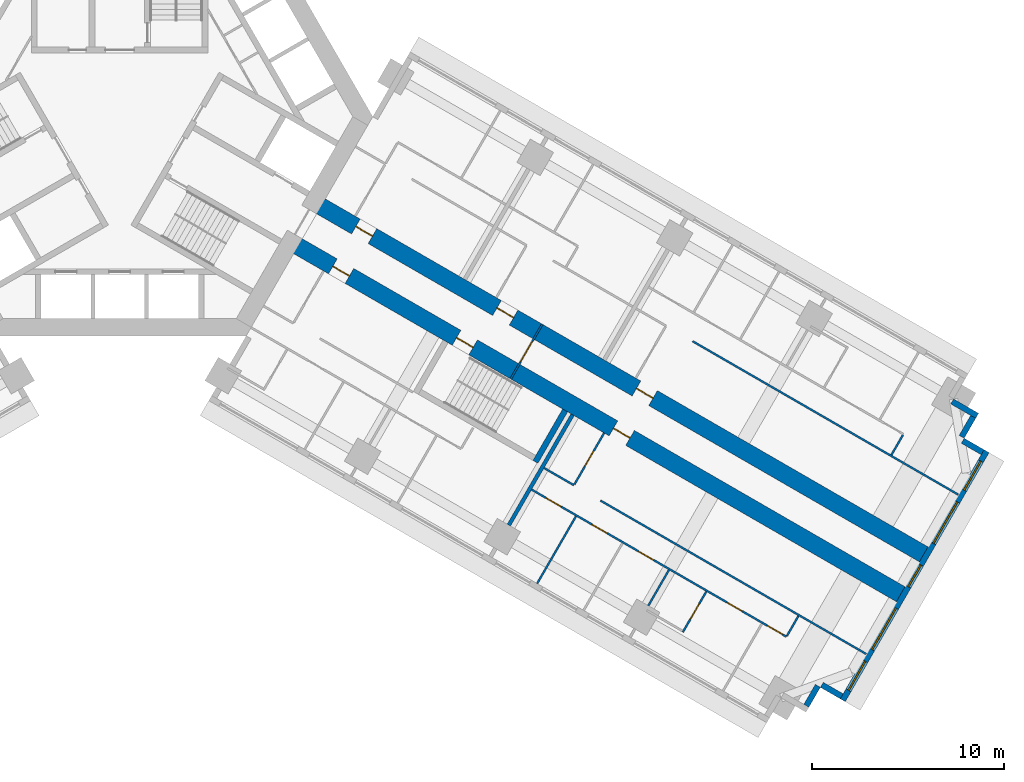
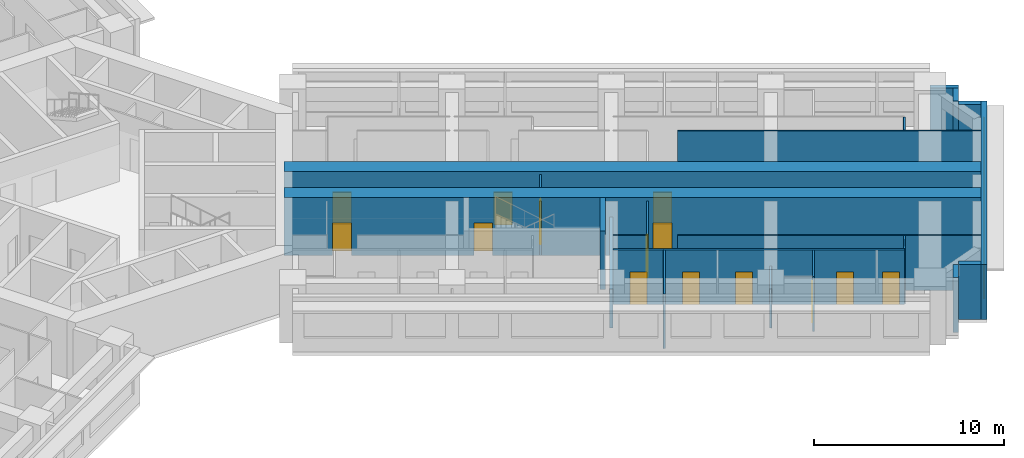
# One storey, part 11 of 15: 21 walls, 14 doors, 5 windows, 19 openings.
"""IFC4 building model written with IfcOpenShell, lengths in metres."""

from ifc_helpers import new_model, si_unit, direction, frame, frame_2d, origin, place, context, subcontext, project, spatial, rectangle, extrude, material, layer, layer_set, type_object, element, fill, save


model = new_model("IFC4")

# Units and contexts
model_context = context("Model", 3, precision=1e-05, world=origin(), true_north=direction((0.0, 1.0)))
body_context = subcontext(model_context, "Body", "Model", "MODEL_VIEW")
ifc_project = project(units=[si_unit("LENGTHUNIT", "METRE"), si_unit("AREAUNIT", "SQUARE_METRE"), si_unit("VOLUMEUNIT", "CUBIC_METRE"), si_unit("PLANEANGLEUNIT", "RADIAN"), si_unit("MASSUNIT", "GRAM", prefix="KILO")], contexts=[model_context])

# Site, building, storey
site_placement = place(None, origin())
site = spatial("IfcSite", under=ifc_project, at=site_placement, CompositionType="ELEMENT")
building_placement = place(site_placement, origin())
building = spatial("IfcBuilding", under=site, at=building_placement, Name="Impinga Residences", CompositionType="ELEMENT")
storey_placement = place(building_placement, frame((0.0, 0.0, 82.25)))
storey = spatial("IfcBuildingStorey", under=building, at=storey_placement, Name="L20", CompositionType="ELEMENT", Elevation=82.25)

# Wall, openings, doors
ifc_material_1 = material(Name="Concrete C70/85", Category="concrete")
ifc_layer_1 = layer(ifc_material_1, 0.89990234375)
ifc_layer_set_1 = layer_set([ifc_layer_1], Name="Concrete C70/85")
wall_type_1 = type_object("IfcWallType", Name="BW1 corridor buttress wall, L05 to L22 900", PredefinedType="SHEAR", material=ifc_layer_set_1)
wall_1_placement = place(storey_placement, frame((10.1103515625, -4.451416015625, 0.0), z_axis=(0.0, 0.0, 1.0), x_axis=(0.866025284237, -0.500000207062, 0.0)))
wall_1 = element("IfcWall", 1, at=wall_1_placement, inside=storey, type_object=wall_type_1, Name="Corridor wall BW1 EC L20", PredefinedType="SHEAR", context=body_context, shape_type="SweptSolid", body=[
    extrude(rectangle(XDim=36.75, YDim=0.89990234375, at=frame_2d((18.375, 0.0))), origin(), (0.0, 0.0, 1.0), 3.75),
])
opening_1_placement = place(wall_1_placement, frame((2.550048828125, 0.0, 0.0)))
opening_1 = element("IfcOpeningElement", 2, at=opening_1_placement, cuts=wall_1, Name="Opening D1", PredefinedType="OPENING", context=body_context, shape_type="SweptSolid", body=[
    extrude(rectangle(XDim=1.0, YDim=2.10009765625, at=frame_2d((0.5, 1.050048828125))), frame((0.0, 0.4599609375, 0.0), z_axis=(0.0, -1.0, 0.0), x_axis=(1.0, 0.0, 0.0)), (0.0, 0.0, 1.0), 0.919921875),
])
opening_2_placement = place(wall_1_placement, frame((11.050048828125, 0.0, 0.0)))
opening_2 = element("IfcOpeningElement", 3, at=opening_2_placement, cuts=wall_1, Name="Opening D1", PredefinedType="OPENING", context=body_context, shape_type="SweptSolid", body=[
    extrude(rectangle(XDim=1.0, YDim=2.10009765625, at=frame_2d((0.5, 1.050048828125))), frame((0.0, 0.4599609375, 0.0), z_axis=(0.0, -1.0, 0.0), x_axis=(1.0, 0.0, 0.0)), (0.0, 0.0, 1.0), 0.919921875),
])
opening_3_placement = place(wall_1_placement, frame((19.449951171875, 0.0, 0.0)))
opening_3 = element("IfcOpeningElement", 4, at=opening_3_placement, cuts=wall_1, Name="Opening D1", PredefinedType="OPENING", context=body_context, shape_type="SweptSolid", body=[
    extrude(rectangle(XDim=1.0, YDim=2.10009765625, at=frame_2d((0.5, 1.050048828125))), frame((0.0, 0.4599609375, 0.0), z_axis=(0.0, -1.0, 0.0), x_axis=(1.0, 0.0, 0.0)), (0.0, 0.0, 1.0), 0.919921875),
])
ifc_material_2 = material(Name="Timber door set", Category="wood")
door_type_1 = type_object("IfcDoorType", Name="D1 apartment entrance door 1000x2100", OperationType="SINGLE_SWING_LEFT", PredefinedType="DOOR", material=ifc_material_2)
door_1_placement = place(opening_1_placement, origin())
door_1 = element("IfcDoor", 5, at=door_1_placement, inside=storey, type_object=door_type_1, Name="Apartment L20-EA1 entrance", OperationType="SINGLE_SWING_LEFT", OverallHeight=2.10009765625, OverallWidth=1.0, PredefinedType="DOOR", context=body_context, shape_type="SweptSolid", body=[
    extrude(rectangle(XDim=1.0, YDim=2.10009765625, at=frame_2d((0.5, 1.050048828125))), frame((0.0, 0.02490234375, 0.0), z_axis=(0.0, -1.0, 0.0), x_axis=(1.0, 0.0, 0.0)), (0.0, 0.0, 1.0), 0.050048828125),
])
fill(opening_1, door_1)
door_2_placement = place(opening_2_placement, origin())
door_2 = element("IfcDoor", 6, at=door_2_placement, inside=storey, type_object=door_type_1, Name="Apartment L20-EA2 entrance", OperationType="SINGLE_SWING_LEFT", OverallHeight=2.10009765625, OverallWidth=1.0, PredefinedType="DOOR", context=body_context, shape_type="SweptSolid", body=[
    extrude(rectangle(XDim=1.0, YDim=2.10009765625, at=frame_2d((0.5, 1.050048828125))), frame((0.0, 0.02490234375, 0.0), z_axis=(0.0, -1.0, 0.0), x_axis=(1.0, 0.0, 0.0)), (0.0, 0.0, 1.0), 0.050048828125),
])
fill(opening_2, door_2)
door_3_placement = place(opening_3_placement, origin())
door_3 = element("IfcDoor", 7, at=door_3_placement, inside=storey, type_object=door_type_1, Name="Apartment L20-EA3 entrance", OperationType="SINGLE_SWING_RIGHT", OverallHeight=2.10009765625, OverallWidth=1.0, PredefinedType="DOOR", context=body_context, shape_type="SweptSolid", body=[
    extrude(rectangle(XDim=1.0, YDim=2.10009765625, at=frame_2d((0.5, 1.050048828125))), frame((0.0, 0.02490234375, 0.0), z_axis=(0.0, -1.0, 0.0), x_axis=(1.0, 0.0, 0.0)), (0.0, 0.0, 1.0), 0.050048828125),
])
fill(opening_3, door_3)

wall_2_placement = place(storey_placement, frame((8.910400390625, -6.530029296875, 0.0), z_axis=(0.0, 0.0, 1.0), x_axis=(0.866025284237, -0.500000207062, 0.0)))
wall_2 = element("IfcWall", 8, at=wall_2_placement, inside=storey, type_object=wall_type_1, Name="Corridor wall BW1 ED L20", PredefinedType="SHEAR", context=body_context, shape_type="SweptSolid", body=[
    extrude(rectangle(XDim=36.75, YDim=0.89990234375, at=frame_2d((18.375, 0.0))), origin(), (0.0, 0.0, 1.0), 3.75),
])
opening_4_placement = place(wall_2_placement, frame((10.0, 0.0, 0.0)))
opening_4 = element("IfcOpeningElement", 9, at=opening_4_placement, cuts=wall_2, Name="Opening D5", PredefinedType="OPENING", context=body_context, shape_type="SweptSolid", body=[
    extrude(rectangle(XDim=1.0, YDim=2.10009765625, at=frame_2d((0.5, 1.050048828125))), frame((0.0, 0.4599609375, 0.0), z_axis=(0.0, -1.0, 0.0), x_axis=(1.0, 0.0, 0.0)), (0.0, 0.0, 1.0), 0.919921875),
])
opening_5_placement = place(wall_2_placement, frame((2.550048828125, 0.0, 0.0)))
opening_5 = element("IfcOpeningElement", 10, at=opening_5_placement, cuts=wall_2, Name="Opening D1", PredefinedType="OPENING", context=body_context, shape_type="SweptSolid", body=[
    extrude(rectangle(XDim=1.0, YDim=2.10009765625, at=frame_2d((0.5, 1.050048828125))), frame((0.0, 0.4599609375, 0.0), z_axis=(0.0, -1.0, 0.0), x_axis=(1.0, 0.0, 0.0)), (0.0, 0.0, 1.0), 0.919921875),
])
opening_6_placement = place(wall_2_placement, frame((19.449951171875, 0.0, 0.0)))
opening_6 = element("IfcOpeningElement", 11, at=opening_6_placement, cuts=wall_2, Name="Opening D1", PredefinedType="OPENING", context=body_context, shape_type="SweptSolid", body=[
    extrude(rectangle(XDim=1.0, YDim=2.10009765625, at=frame_2d((0.5, 1.050048828125))), frame((0.0, 0.4599609375, 0.0), z_axis=(0.0, -1.0, 0.0), x_axis=(1.0, 0.0, 0.0)), (0.0, 0.0, 1.0), 0.919921875),
])
door_4_placement = place(opening_5_placement, origin())
door_4 = element("IfcDoor", 12, at=door_4_placement, inside=storey, type_object=door_type_1, Name="Apartment L20-EF1 entrance", OperationType="SINGLE_SWING_LEFT", OverallHeight=2.10009765625, OverallWidth=1.0, PredefinedType="DOOR", context=body_context, shape_type="SweptSolid", body=[
    extrude(rectangle(XDim=1.0, YDim=2.10009765625, at=frame_2d((0.5, 1.050048828125))), frame((0.0, 0.02490234375, 0.0), z_axis=(0.0, -1.0, 0.0), x_axis=(1.0, 0.0, 0.0)), (0.0, 0.0, 1.0), 0.050048828125),
])
fill(opening_5, door_4)
door_5_placement = place(opening_6_placement, origin())
door_5 = element("IfcDoor", 13, at=door_5_placement, inside=storey, type_object=door_type_1, Name="Apartment L20-EF2 entrance", OperationType="SINGLE_SWING_RIGHT", OverallHeight=2.10009765625, OverallWidth=1.0, PredefinedType="DOOR", context=body_context, shape_type="SweptSolid", body=[
    extrude(rectangle(XDim=1.0, YDim=2.10009765625, at=frame_2d((0.5, 1.050048828125))), frame((0.0, 0.02490234375, 0.0), z_axis=(0.0, -1.0, 0.0), x_axis=(1.0, 0.0, 0.0)), (0.0, 0.0, 1.0), 0.050048828125),
])
fill(opening_6, door_5)
door_type_2 = type_object("IfcDoorType", Name="D5 stair door 1000x2100", OperationType="SINGLE_SWING_LEFT", PredefinedType="DOOR", material=ifc_material_2)
door_6_placement = place(opening_4_placement, origin())
door_6 = element("IfcDoor", 14, at=door_6_placement, inside=storey, type_object=door_type_2, Name="Wing stair door E", OperationType="SINGLE_SWING_LEFT", OverallHeight=2.10009765625, OverallWidth=1.0, PredefinedType="DOOR", context=body_context, shape_type="SweptSolid", body=[
    extrude(rectangle(XDim=1.0, YDim=2.10009765625, at=frame_2d((0.5, 1.050048828125))), frame((0.0, 0.02490234375, 0.0), z_axis=(0.0, -1.0, 0.0), x_axis=(1.0, 0.0, 0.0)), (0.0, 0.0, 1.0), 0.050048828125),
])
fill(opening_4, door_6)

# Wall, opening, door
ifc_material_3 = material(Name="Concrete blockwork", Category="masonry")
ifc_layer_2 = layer(ifc_material_3, 0.10009765625)
ifc_layer_set_2 = layer_set([ifc_layer_2], Name="CP1 core room partition, blockwork 100")
wall_type_2 = type_object("IfcWallType", Name="CP1 core room partition, blockwork 100", PredefinedType="PARTITIONING", material=ifc_layer_set_2)
wall_3_placement = place(storey_placement, frame((22.042724609375, -10.821044921875, 0.0), z_axis=(0.0, 0.0, 1.0), x_axis=(-0.50002983664, -0.866008176907, 0.0)))
wall_3 = element("IfcWall", 15, at=wall_3_placement, inside=storey, type_object=wall_type_2, Name="Core room partition, blockwork L20:E:SCR", PredefinedType="PARTITIONING", context=body_context, shape_type="SweptSolid", body=[
    extrude(rectangle(XDim=3.300048828125, YDim=0.10009765625, at=frame_2d((1.64990234375, 0.0))), origin(), (0.0, 0.0, 1.0), 3.530029296875),
])
opening_7_placement = place(wall_3_placement, frame((1.050048828125, 0.0, 0.0)))
opening_7 = element("IfcOpeningElement", 16, at=opening_7_placement, cuts=wall_3, Name="Opening D3", PredefinedType="OPENING", context=body_context, shape_type="SweptSolid", body=[
    extrude(rectangle(XDim=1.199951171875, YDim=2.10009765625, at=frame_2d((0.60009765625, 1.050048828125))), frame((0.0, 0.06005859375, 0.0), z_axis=(0.0, -1.0, 0.0), x_axis=(1.0, 0.0, 0.0)), (0.0, 0.0, 1.0), 0.1201171875),
])
door_type_3 = type_object("IfcDoorType", Name="D3 room door, leaf and a half 1200x2100", OperationType="DOUBLE_SWING_LEFT", PredefinedType="DOOR", material=ifc_material_2)
door_7_placement = place(opening_7_placement, origin())
door_7 = element("IfcDoor", 17, at=door_7_placement, inside=storey, type_object=door_type_3, Name="Corridor smoke door E", OperationType="DOUBLE_SWING_LEFT", OverallHeight=2.10009765625, OverallWidth=1.199951171875, PredefinedType="DOOR", context=body_context, shape_type="SweptSolid", body=[
    extrude(rectangle(XDim=1.199951171875, YDim=2.10009765625, at=frame_2d((0.60009765625, 1.050048828125))), frame((0.0, 0.02490234375, 0.0), z_axis=(0.0, -1.0, 0.0), x_axis=(1.0, 0.0, 0.0)), (0.0, 0.0, 1.0), 0.050048828125),
])
fill(opening_7, door_7)

# Walls
ifc_material_4 = material(Name="Terracotta rainscreen on blockwork", Category="masonry")
ifc_layer_3 = layer(ifc_material_4, 0.300048828125)
ifc_layer_set_3 = layer_set([ifc_layer_3], Name="EW1 external wall, terracotta rainscreen on blockwork 300")
wall_type_3 = type_object("IfcWallType", Name="EW1 external wall, terracotta rainscreen on blockwork 300", PredefinedType="SOLIDWALL", material=ifc_layer_set_3)
wall_4_placement = place(storey_placement, frame((43.42333984375, -14.8515625, 0.0), z_axis=(0.0, 0.0, 1.0), x_axis=(0.866031096941, -0.499990139034, 0.0)))
element("IfcWall", 18, at=wall_4_placement, inside=storey, type_object=wall_type_3, Name="External wall EW1 L20", PredefinedType="SOLIDWALL", context=body_context, shape_type="SweptSolid", body=[
    extrude(rectangle(XDim=1.5, YDim=0.300048828125, at=frame_2d((0.75, 0.0))), origin(), (0.0, 0.0, 1.0), 3.530029296875),
])
wall_5_placement = place(storey_placement, frame((44.517578125, -15.65625, 0.0), z_axis=(0.0, 0.0, 1.0), x_axis=(-0.500033551112, -0.866006032174, 0.0)))
element("IfcWall", 19, at=wall_5_placement, inside=storey, type_object=wall_type_3, Name="External wall EW1 L20", PredefinedType="SOLIDWALL", context=body_context, shape_type="SweptSolid", body=[
    extrude(rectangle(XDim=1.2001953125, YDim=0.300048828125, at=frame_2d((0.60009765625, 0.0))), origin(), (0.0, 0.0, 1.0), 3.530029296875),
])
wall_6_placement = place(storey_placement, frame((43.976806640625, -16.903076171875, 0.0), z_axis=(0.0, 0.0, 1.0), x_axis=(0.866059708757, -0.499940577336, 0.0)))
element("IfcWall", 20, at=wall_6_placement, inside=storey, type_object=wall_type_3, Name="External wall EW1 L20", PredefinedType="SOLIDWALL", context=body_context, shape_type="SweptSolid", body=[
    extrude(rectangle(XDim=1.195068359375, YDim=0.300048828125, at=frame_2d((0.59765625, 0.0))), origin(), (0.0, 0.0, 1.0), 3.530029296875),
])

# Wall, openings, windows
wall_7_placement = place(storey_placement, frame((45.216552734375, -17.445556640625, 0.0), z_axis=(0.0, 0.0, 1.0), x_axis=(-0.499997186618, -0.866027028085, 0.0)))
wall_7 = element("IfcWall", 21, at=wall_7_placement, inside=storey, type_object=wall_type_3, Name="External wall EW1 L20", PredefinedType="SOLIDWALL", context=body_context, shape_type="SweptSolid", body=[
    extrude(rectangle(XDim=15.0, YDim=0.300048828125, at=frame_2d((7.5, 0.0))), origin(), (0.0, 0.0, 1.0), 3.530029296875),
])
opening_8_placement = place(wall_7_placement, frame((0.60009765625, 0.0, 0.89990234375)))
opening_8 = element("IfcOpeningElement", 22, at=opening_8_placement, cuts=wall_7, Name="Opening W1", PredefinedType="OPENING", context=body_context, shape_type="SweptSolid", body=[
    extrude(rectangle(XDim=1.75, YDim=2.050048828125, at=frame_2d((0.875, 1.02490234375))), frame((0.0, 0.159912109375, 0.0), z_axis=(0.0, -1.0, 0.0), x_axis=(1.0, 0.0, 0.0)), (0.0, 0.0, 1.0), 0.320068359375),
])
opening_9_placement = place(wall_7_placement, frame((3.050048828125, 0.0, 0.89990234375)))
opening_9 = element("IfcOpeningElement", 23, at=opening_9_placement, cuts=wall_7, Name="Opening W2", PredefinedType="OPENING", context=body_context, shape_type="SweptSolid", body=[
    extrude(rectangle(XDim=2.5, YDim=2.050048828125, at=frame_2d((1.25, 1.02490234375))), frame((0.0, 0.159912109375, 0.0), z_axis=(0.0, -1.0, 0.0), x_axis=(1.0, 0.0, 0.0)), (0.0, 0.0, 1.0), 0.320068359375),
])
opening_10_placement = place(wall_7_placement, frame((6.85009765625, 0.0, 0.89990234375)))
opening_10 = element("IfcOpeningElement", 24, at=opening_10_placement, cuts=wall_7, Name="Opening WE1", PredefinedType="OPENING", context=body_context, shape_type="SweptSolid", body=[
    extrude(rectangle(XDim=1.300048828125, YDim=2.050048828125, at=frame_2d((0.64990234375, 1.02490234375))), frame((0.0, 0.159912109375, 0.0), z_axis=(0.0, -1.0, 0.0), x_axis=(1.0, 0.0, 0.0)), (0.0, 0.0, 1.0), 0.320068359375),
])
opening_11_placement = place(wall_7_placement, frame((9.449951171875, 0.0, 0.89990234375)))
opening_11 = element("IfcOpeningElement", 25, at=opening_11_placement, cuts=wall_7, Name="Opening W2", PredefinedType="OPENING", context=body_context, shape_type="SweptSolid", body=[
    extrude(rectangle(XDim=2.5, YDim=2.050048828125, at=frame_2d((1.25, 1.02490234375))), frame((0.0, 0.159912109375, 0.0), z_axis=(0.0, -1.0, 0.0), x_axis=(1.0, 0.0, 0.0)), (0.0, 0.0, 1.0), 0.320068359375),
])
opening_12_placement = place(wall_7_placement, frame((12.64990234375, 0.0, 0.89990234375)))
opening_12 = element("IfcOpeningElement", 26, at=opening_12_placement, cuts=wall_7, Name="Opening W1", PredefinedType="OPENING", context=body_context, shape_type="SweptSolid", body=[
    extrude(rectangle(XDim=1.75, YDim=2.050048828125, at=frame_2d((0.875, 1.02490234375))), frame((0.0, 0.159912109375, 0.0), z_axis=(0.0, -1.0, 0.0), x_axis=(1.0, 0.0, 0.0)), (0.0, 0.0, 1.0), 0.320068359375),
])
ifc_material_5 = material(Name="Aluminium window, clear double glazing", Category="aluminium")
window_type_1 = type_object("IfcWindowType", Name="W1 ribbon window 1750x2050", PartitioningType="SINGLE_PANEL", PredefinedType="WINDOW", material=ifc_material_5)
window_1_placement = place(opening_8_placement, origin())
window_1 = element("IfcWindow", 27, at=window_1_placement, inside=storey, type_object=window_type_1, Name="Window L20", OverallHeight=2.050048828125, OverallWidth=1.75, PartitioningType="SINGLE_PANEL", PredefinedType="WINDOW", context=body_context, shape_type="SweptSolid", body=[
    extrude(rectangle(XDim=1.75, YDim=2.050048828125, at=frame_2d((0.875, 1.02490234375))), frame((0.0, 0.030029296875, 0.0), z_axis=(0.0, -1.0, 0.0), x_axis=(1.0, 0.0, 0.0)), (0.0, 0.0, 1.0), 0.06005859375),
])
fill(opening_8, window_1)
window_2_placement = place(opening_12_placement, origin())
window_2 = element("IfcWindow", 28, at=window_2_placement, inside=storey, type_object=window_type_1, Name="Window L20", OverallHeight=2.050048828125, OverallWidth=1.75, PartitioningType="SINGLE_PANEL", PredefinedType="WINDOW", context=body_context, shape_type="SweptSolid", body=[
    extrude(rectangle(XDim=1.75, YDim=2.050048828125, at=frame_2d((0.875, 1.02490234375))), frame((0.0, 0.030029296875, 0.0), z_axis=(0.0, -1.0, 0.0), x_axis=(1.0, 0.0, 0.0)), (0.0, 0.0, 1.0), 0.06005859375),
])
fill(opening_12, window_2)
window_type_2 = type_object("IfcWindowType", Name="W2 ribbon window 2500x2050", PartitioningType="SINGLE_PANEL", PredefinedType="WINDOW", material=ifc_material_5)
window_3_placement = place(opening_9_placement, origin())
window_3 = element("IfcWindow", 29, at=window_3_placement, inside=storey, type_object=window_type_2, Name="Window L20", OverallHeight=2.050048828125, OverallWidth=2.5, PartitioningType="SINGLE_PANEL", PredefinedType="WINDOW", context=body_context, shape_type="SweptSolid", body=[
    extrude(rectangle(XDim=2.5, YDim=2.050048828125, at=frame_2d((1.25, 1.02490234375))), frame((0.0, 0.030029296875, 0.0), z_axis=(0.0, -1.0, 0.0), x_axis=(1.0, 0.0, 0.0)), (0.0, 0.0, 1.0), 0.06005859375),
])
fill(opening_9, window_3)
window_4_placement = place(opening_11_placement, origin())
window_4 = element("IfcWindow", 30, at=window_4_placement, inside=storey, type_object=window_type_2, Name="Window L20", OverallHeight=2.050048828125, OverallWidth=2.5, PartitioningType="SINGLE_PANEL", PredefinedType="WINDOW", context=body_context, shape_type="SweptSolid", body=[
    extrude(rectangle(XDim=2.5, YDim=2.050048828125, at=frame_2d((1.25, 1.02490234375))), frame((0.0, 0.030029296875, 0.0), z_axis=(0.0, -1.0, 0.0), x_axis=(1.0, 0.0, 0.0)), (0.0, 0.0, 1.0), 0.06005859375),
])
fill(opening_11, window_4)
window_type_3 = type_object("IfcWindowType", Name="WE1 corridor window 1300x2050", PartitioningType="SINGLE_PANEL", PredefinedType="WINDOW", material=ifc_material_5)
window_5_placement = place(opening_10_placement, origin())
window_5 = element("IfcWindow", 31, at=window_5_placement, inside=storey, type_object=window_type_3, Name="Window L20", OverallHeight=2.050048828125, OverallWidth=1.300048828125, PartitioningType="SINGLE_PANEL", PredefinedType="WINDOW", context=body_context, shape_type="SweptSolid", body=[
    extrude(rectangle(XDim=1.300048828125, YDim=2.050048828125, at=frame_2d((0.64990234375, 1.02490234375))), frame((0.0, 0.030029296875, 0.0), z_axis=(0.0, -1.0, 0.0), x_axis=(1.0, 0.0, 0.0)), (0.0, 0.0, 1.0), 0.06005859375),
])
fill(opening_10, window_5)

# Walls
wall_8_placement = place(storey_placement, frame((37.66162109375, -30.23095703125, 0.0), z_axis=(0.0, 0.0, 1.0), x_axis=(-0.866059708757, 0.499940577336, 0.0)))
element("IfcWall", 32, at=wall_8_placement, inside=storey, type_object=wall_type_3, Name="External wall EW1 L20", PredefinedType="SOLIDWALL", context=body_context, shape_type="SweptSolid", body=[
    extrude(rectangle(XDim=1.195068359375, YDim=0.300048828125, at=frame_2d((0.59765625, 0.0))), origin(), (0.0, 0.0, 1.0), 3.530029296875),
])
wall_9_placement = place(storey_placement, frame((36.41748046875, -29.68603515625, 0.0), z_axis=(0.0, 0.0, 1.0), x_axis=(-0.499969057507, -0.866043267704, 0.0)))
element("IfcWall", 33, at=wall_9_placement, inside=storey, type_object=wall_type_3, Name="External wall EW1 L20", PredefinedType="SOLIDWALL", context=body_context, shape_type="SweptSolid", body=[
    extrude(rectangle(XDim=1.19970703125, YDim=0.300048828125, at=frame_2d((0.599853515625, 0.0))), origin(), (0.0, 0.0, 1.0), 3.530029296875),
])
ifc_material_6 = material(Name="Gypsum board on steel studs", Category="steel")
ifc_layer_4 = layer(ifc_material_6, 0.10009765625)
ifc_layer_set_4 = layer_set([ifc_layer_4], Name="Gypsum board on steel studs")
wall_type_4 = type_object("IfcWallType", Name="IP1 partition 100", PredefinedType="PARTITIONING", material=ifc_layer_set_4)
wall_10_placement = place(storey_placement, frame((29.88037109375, -11.708740234375, 0.0), z_axis=(0.0, 0.0, 1.0), x_axis=(0.866026010844, -0.49999894854, 0.0)))
element("IfcWall", 34, at=wall_10_placement, inside=storey, type_object=wall_type_4, Name="Partition L20-EA3:DIV1", PredefinedType="PARTITIONING", context=body_context, shape_type="SweptSolid", body=[
    extrude(rectangle(XDim=16.0, YDim=0.10009765625, at=frame_2d((8.0, 0.0))), origin(), (0.0, 0.0, 1.0), 3.530029296875),
])
wall_11_placement = place(storey_placement, frame((40.25439453125, -17.640625, 0.0), z_axis=(0.0, 0.0, 1.0), x_axis=(0.499880961361, 0.866094119867, 0.0)))
element("IfcWall", 35, at=wall_11_placement, inside=storey, type_object=wall_type_4, Name="Partition L20-EA3:SE1", PredefinedType="PARTITIONING", context=body_context, shape_type="SweptSolid", body=[
    extrude(rectangle(XDim=1.199951171875, YDim=0.10009765625, at=frame_2d((0.60009765625, 0.0))), origin(), (0.0, 0.0, 1.0), 3.530029296875),
])
wall_12_placement = place(storey_placement, frame((22.1357421875, -18.32275390625, 0.0), z_axis=(0.0, 0.0, 1.0), x_axis=(0.866047807691, -0.499961193289, 0.0)))
element("IfcWall", 36, at=wall_12_placement, inside=storey, type_object=wall_type_4, Name="Partition L20-EF2:DIV0", PredefinedType="PARTITIONING", context=body_context, shape_type="SweptSolid", body=[
    extrude(rectangle(XDim=1.800048828125, YDim=0.10009765625, at=frame_2d((0.89990234375, 0.0))), origin(), (0.0, 0.0, 1.0), 3.530029296875),
])
wall_13_placement = place(storey_placement, frame((25.080322265625, -20.022705078125, 0.0), z_axis=(0.0, 0.0, 1.0), x_axis=(0.866026010844, -0.49999894854, 0.0)))
element("IfcWall", 37, at=wall_13_placement, inside=storey, type_object=wall_type_4, Name="Partition L20-EF2:DIV1", PredefinedType="PARTITIONING", context=body_context, shape_type="SweptSolid", body=[
    extrude(rectangle(XDim=16.0, YDim=0.10009765625, at=frame_2d((8.0, 0.0))), origin(), (0.0, 0.0, 1.0), 3.530029296875),
])

# Wall, openings, doors
wall_14_placement = place(storey_placement, frame((21.48583984375, -19.448486328125, 0.0), z_axis=(0.0, 0.0, 1.0), x_axis=(0.866023490266, -0.500003314297, 0.0)))
wall_14 = element("IfcWall", 38, at=wall_14_placement, inside=storey, type_object=wall_type_4, Name="Partition L20-EF2:STRIP", PredefinedType="PARTITIONING", context=body_context, shape_type="SweptSolid", body=[
    extrude(rectangle(XDim=15.35009765625, YDim=0.10009765625, at=frame_2d((7.675048828125, 0.0))), origin(), (0.0, 0.0, 1.0), 3.530029296875),
])
opening_13_placement = place(wall_14_placement, frame((0.875, 0.0, 0.0)))
opening_13 = element("IfcOpeningElement", 39, at=opening_13_placement, cuts=wall_14, Name="Opening D2", PredefinedType="OPENING", context=body_context, shape_type="SweptSolid", body=[
    extrude(rectangle(XDim=0.89990234375, YDim=2.10009765625, at=frame_2d((0.449951171875, 1.050048828125))), frame((0.0, 0.06005859375, 0.0), z_axis=(0.0, -1.0, 0.0), x_axis=(1.0, 0.0, 0.0)), (0.0, 0.0, 1.0), 0.1201171875),
])
opening_14_placement = place(wall_14_placement, frame((3.64990234375, 0.0, 0.0)))
opening_14 = element("IfcOpeningElement", 40, at=opening_14_placement, cuts=wall_14, Name="Opening D2", PredefinedType="OPENING", context=body_context, shape_type="SweptSolid", body=[
    extrude(rectangle(XDim=0.89990234375, YDim=2.10009765625, at=frame_2d((0.449951171875, 1.050048828125))), frame((0.0, 0.06005859375, 0.0), z_axis=(0.0, -1.0, 0.0), x_axis=(1.0, 0.0, 0.0)), (0.0, 0.0, 1.0), 0.1201171875),
])
opening_15_placement = place(wall_14_placement, frame((6.449951171875, 0.0, 0.0)))
opening_15 = element("IfcOpeningElement", 41, at=opening_15_placement, cuts=wall_14, Name="Opening D2", PredefinedType="OPENING", context=body_context, shape_type="SweptSolid", body=[
    extrude(rectangle(XDim=0.89990234375, YDim=2.10009765625, at=frame_2d((0.449951171875, 1.050048828125))), frame((0.0, 0.06005859375, 0.0), z_axis=(0.0, -1.0, 0.0), x_axis=(1.0, 0.0, 0.0)), (0.0, 0.0, 1.0), 0.1201171875),
])
opening_16_placement = place(wall_14_placement, frame((11.77490234375, 0.0, 0.0)))
opening_16 = element("IfcOpeningElement", 42, at=opening_16_placement, cuts=wall_14, Name="Opening D2", PredefinedType="OPENING", context=body_context, shape_type="SweptSolid", body=[
    extrude(rectangle(XDim=0.89990234375, YDim=2.10009765625, at=frame_2d((0.449951171875, 1.050048828125))), frame((0.0, 0.06005859375, 0.0), z_axis=(0.0, -1.0, 0.0), x_axis=(1.0, 0.0, 0.0)), (0.0, 0.0, 1.0), 0.1201171875),
])
opening_17_placement = place(wall_14_placement, frame((14.199951171875, 0.0, 0.0)))
opening_17 = element("IfcOpeningElement", 43, at=opening_17_placement, cuts=wall_14, Name="Opening D2", PredefinedType="OPENING", context=body_context, shape_type="SweptSolid", body=[
    extrude(rectangle(XDim=0.89990234375, YDim=2.10009765625, at=frame_2d((0.449951171875, 1.050048828125))), frame((0.0, 0.06005859375, 0.0), z_axis=(0.0, -1.0, 0.0), x_axis=(1.0, 0.0, 0.0)), (0.0, 0.0, 1.0), 0.1201171875),
])
door_type_4 = type_object("IfcDoorType", Name="D2 internal door 900x2100", OperationType="SINGLE_SWING_LEFT", PredefinedType="DOOR", material=ifc_material_2)
door_8_placement = place(opening_13_placement, origin())
door_8 = element("IfcDoor", 44, at=door_8_placement, inside=storey, type_object=door_type_4, Name="Apartment L20-EF2 room door", OperationType="SINGLE_SWING_LEFT", OverallHeight=2.10009765625, OverallWidth=0.89990234375, PredefinedType="DOOR", context=body_context, shape_type="SweptSolid", body=[
    extrude(rectangle(XDim=0.89990234375, YDim=2.10009765625, at=frame_2d((0.449951171875, 1.050048828125))), frame((0.0, 0.02490234375, 0.0), z_axis=(0.0, -1.0, 0.0), x_axis=(1.0, 0.0, 0.0)), (0.0, 0.0, 1.0), 0.050048828125),
])
fill(opening_13, door_8)
door_9_placement = place(opening_14_placement, origin())
door_9 = element("IfcDoor", 45, at=door_9_placement, inside=storey, type_object=door_type_4, Name="Apartment L20-EF2 room door", OperationType="SINGLE_SWING_LEFT", OverallHeight=2.10009765625, OverallWidth=0.89990234375, PredefinedType="DOOR", context=body_context, shape_type="SweptSolid", body=[
    extrude(rectangle(XDim=0.89990234375, YDim=2.10009765625, at=frame_2d((0.449951171875, 1.050048828125))), frame((0.0, 0.02490234375, 0.0), z_axis=(0.0, -1.0, 0.0), x_axis=(1.0, 0.0, 0.0)), (0.0, 0.0, 1.0), 0.050048828125),
])
fill(opening_14, door_9)
door_10_placement = place(opening_15_placement, origin())
door_10 = element("IfcDoor", 46, at=door_10_placement, inside=storey, type_object=door_type_4, Name="Apartment L20-EF2 room door", OperationType="SINGLE_SWING_LEFT", OverallHeight=2.10009765625, OverallWidth=0.89990234375, PredefinedType="DOOR", context=body_context, shape_type="SweptSolid", body=[
    extrude(rectangle(XDim=0.89990234375, YDim=2.10009765625, at=frame_2d((0.449951171875, 1.050048828125))), frame((0.0, 0.02490234375, 0.0), z_axis=(0.0, -1.0, 0.0), x_axis=(1.0, 0.0, 0.0)), (0.0, 0.0, 1.0), 0.050048828125),
])
fill(opening_15, door_10)
door_11_placement = place(opening_16_placement, origin())
door_11 = element("IfcDoor", 47, at=door_11_placement, inside=storey, type_object=door_type_4, Name="Apartment L20-EF2 room door", OperationType="SINGLE_SWING_RIGHT", OverallHeight=2.10009765625, OverallWidth=0.89990234375, PredefinedType="DOOR", context=body_context, shape_type="SweptSolid", body=[
    extrude(rectangle(XDim=0.89990234375, YDim=2.10009765625, at=frame_2d((0.449951171875, 1.050048828125))), frame((0.0, 0.02490234375, 0.0), z_axis=(0.0, -1.0, 0.0), x_axis=(1.0, 0.0, 0.0)), (0.0, 0.0, 1.0), 0.050048828125),
])
fill(opening_16, door_11)
door_12_placement = place(opening_17_placement, origin())
door_12 = element("IfcDoor", 48, at=door_12_placement, inside=storey, type_object=door_type_4, Name="Apartment L20-EF2 room door", OperationType="SINGLE_SWING_RIGHT", OverallHeight=2.10009765625, OverallWidth=0.89990234375, PredefinedType="DOOR", context=body_context, shape_type="SweptSolid", body=[
    extrude(rectangle(XDim=0.89990234375, YDim=2.10009765625, at=frame_2d((0.449951171875, 1.050048828125))), frame((0.0, 0.02490234375, 0.0), z_axis=(0.0, -1.0, 0.0), x_axis=(1.0, 0.0, 0.0)), (0.0, 0.0, 1.0), 0.050048828125),
])
fill(opening_17, door_12)

# Wall
wall_15_placement = place(storey_placement, frame((35.404296875, -26.041015625, 0.0), z_axis=(0.0, 0.0, 1.0), x_axis=(-0.500033551112, -0.866006032174, 0.0)))
element("IfcWall", 49, at=wall_15_placement, inside=storey, type_object=wall_type_4, Name="Partition L20-EF2:SE1", PredefinedType="PARTITIONING", context=body_context, shape_type="SweptSolid", body=[
    extrude(rectangle(XDim=1.2001953125, YDim=0.10009765625, at=frame_2d((0.60009765625, 0.0))), origin(), (0.0, 0.0, 1.0), 3.530029296875),
])

# Wall, opening, door
wall_16_placement = place(storey_placement, frame((25.269775390625, -16.49462890625, 0.0), z_axis=(0.0, 0.0, 1.0), x_axis=(-0.49999285859, -0.86602952684, 0.0)))
wall_16 = element("IfcWall", 50, at=wall_16_placement, inside=storey, type_object=wall_type_4, Name="Partition L20-EF2:IB1", PredefinedType="PARTITIONING", context=body_context, shape_type="SweptSolid", body=[
    extrude(rectangle(XDim=3.10009765625, YDim=0.10009765625, at=frame_2d((1.550048828125, 0.0))), origin(), (0.0, 0.0, 1.0), 3.530029296875),
])
opening_18_placement = place(wall_16_placement, frame((1.10009765625, 0.0, 0.0)))
opening_18 = element("IfcOpeningElement", 51, at=opening_18_placement, cuts=wall_16, Name="Opening D2", PredefinedType="OPENING", context=body_context, shape_type="SweptSolid", body=[
    extrude(rectangle(XDim=0.89990234375, YDim=2.10009765625, at=frame_2d((0.449951171875, 1.050048828125))), frame((0.0, 0.06005859375, 0.0), z_axis=(0.0, -1.0, 0.0), x_axis=(1.0, 0.0, 0.0)), (0.0, 0.0, 1.0), 0.1201171875),
])
door_13_placement = place(opening_18_placement, origin())
door_13 = element("IfcDoor", 52, at=door_13_placement, inside=storey, type_object=door_type_4, Name="Apartment L20-EF2 bathroom door", OperationType="SINGLE_SWING_LEFT", OverallHeight=2.10009765625, OverallWidth=0.89990234375, PredefinedType="DOOR", context=body_context, shape_type="SweptSolid", body=[
    extrude(rectangle(XDim=0.89990234375, YDim=2.10009765625, at=frame_2d((0.449951171875, 1.050048828125))), frame((0.0, 0.02490234375, 0.0), z_axis=(0.0, -1.0, 0.0), x_axis=(1.0, 0.0, 0.0)), (0.0, 0.0, 1.0), 0.050048828125),
])
fill(opening_18, door_13)

# Walls
wall_17_placement = place(storey_placement, frame((23.799072265625, -20.841796875, 0.0), z_axis=(0.0, 0.0, 1.0), x_axis=(-0.499990325971, -0.866030989016, 0.0)))
element("IfcWall", 53, at=wall_17_placement, inside=storey, type_object=wall_type_4, Name="Partition L20-EF2:OB1", PredefinedType="PARTITIONING", context=body_context, shape_type="SweptSolid", body=[
    extrude(rectangle(XDim=4.0498046875, YDim=0.10009765625, at=frame_2d((2.02490234375, 0.0))), origin(), (0.0, 0.0, 1.0), 3.530029296875),
])
wall_18_placement = place(storey_placement, frame((28.64892578125, -23.641845703125, 0.0), z_axis=(0.0, 0.0, 1.0), x_axis=(-0.500095966228, -0.865969990567, 0.0)))
element("IfcWall", 54, at=wall_18_placement, inside=storey, type_object=wall_type_4, Name="Partition L20-EF2:OB3", PredefinedType="PARTITIONING", context=body_context, shape_type="SweptSolid", body=[
    extrude(rectangle(XDim=2.14990234375, YDim=0.10009765625, at=frame_2d((1.074951171875, 0.0))), origin(), (0.0, 0.0, 1.0), 2.47998046875),
])

# Wall, opening, door
wall_19_placement = place(storey_placement, frame((30.597412109375, -24.766845703125, 0.0), z_axis=(0.0, 0.0, 1.0), x_axis=(-0.500018594424, -0.866014668023, 0.0)))
wall_19 = element("IfcWall", 55, at=wall_19_placement, inside=storey, type_object=wall_type_4, Name="Partition L20-EF2:EN1", PredefinedType="PARTITIONING", context=body_context, shape_type="SweptSolid", body=[
    extrude(rectangle(XDim=2.4501953125, YDim=0.10009765625, at=frame_2d((1.22509765625, 0.0))), origin(), (0.0, 0.0, 1.0), 3.530029296875),
])
opening_19_placement = place(wall_19_placement, frame((0.75, 0.0, 0.0)))
opening_19 = element("IfcOpeningElement", 56, at=opening_19_placement, cuts=wall_19, Name="Opening D2", PredefinedType="OPENING", context=body_context, shape_type="SweptSolid", body=[
    extrude(rectangle(XDim=0.89990234375, YDim=2.10009765625, at=frame_2d((0.449951171875, 1.050048828125))), frame((0.0, 0.06005859375, 0.0), z_axis=(0.0, -1.0, 0.0), x_axis=(1.0, 0.0, 0.0)), (0.0, 0.0, 1.0), 0.1201171875),
])
door_14_placement = place(opening_19_placement, origin())
door_14 = element("IfcDoor", 57, at=door_14_placement, inside=storey, type_object=door_type_4, Name="Apartment L20-EF2 en-suite door", OperationType="SINGLE_SWING_LEFT", OverallHeight=2.10009765625, OverallWidth=0.89990234375, PredefinedType="DOOR", context=body_context, shape_type="SweptSolid", body=[
    extrude(rectangle(XDim=0.89990234375, YDim=2.10009765625, at=frame_2d((0.449951171875, 1.050048828125))), frame((0.0, 0.02490234375, 0.0), z_axis=(0.0, -1.0, 0.0), x_axis=(1.0, 0.0, 0.0)), (0.0, 0.0, 1.0), 0.050048828125),
])
fill(opening_19, door_14)

# Walls
ifc_layer_5 = layer(ifc_material_3, 0.199951171875)
ifc_layer_set_5 = layer_set([ifc_layer_5], Name="PW1 party wall between apartments 200")
wall_type_5 = type_object("IfcWallType", Name="PW1 party wall between apartments 200", PredefinedType="SOLIDWALL", material=ifc_layer_set_5)
wall_20_placement = place(storey_placement, frame((23.624267578125, -15.544677734375, 0.0), z_axis=(0.0, 0.0, 1.0), x_axis=(-0.49999681972, -0.866027239912, 0.0)))
element("IfcWall", 58, at=wall_20_placement, inside=storey, type_object=wall_type_5, Name="Party wall between apartments L20-EF1:PARTY", PredefinedType="SOLIDWALL", context=body_context, shape_type="SweptSolid", body=[
    extrude(rectangle(XDim=6.64990234375, YDim=0.199951171875, at=frame_2d((3.324951171875, 0.0))), origin(), (0.0, 0.0, 1.0), 2.47998046875),
])
ifc_material_7 = material(Name="Concrete C60/75", Category="concrete")
ifc_layer_6 = layer(ifc_material_7, 0.300048828125)
ifc_layer_set_6 = layer_set([ifc_layer_6], Name="Concrete C60/75")
wall_type_6 = type_object("IfcWallType", Name="SE1 wing stair enclosure wall 300", PredefinedType="SOLIDWALL", material=ifc_layer_set_6)
wall_21_placement = place(storey_placement, frame((23.234619140625, -15.31982421875, 0.0), z_axis=(0.0, 0.0, 1.0), x_axis=(-0.500026960575, -0.86600983753, 0.0)))
element("IfcWall", 59, at=wall_21_placement, inside=storey, type_object=wall_type_6, Name="Stair enclosure wall SE1 E END1 L20", PredefinedType="SOLIDWALL", context=body_context, shape_type="SweptSolid", body=[
    extrude(rectangle(XDim=3.099853515625, YDim=0.300048828125, at=frame_2d((1.5498046875, 0.0))), origin(), (0.0, 0.0, 1.0), 3.75),
])

save(model, "model.ifc")
